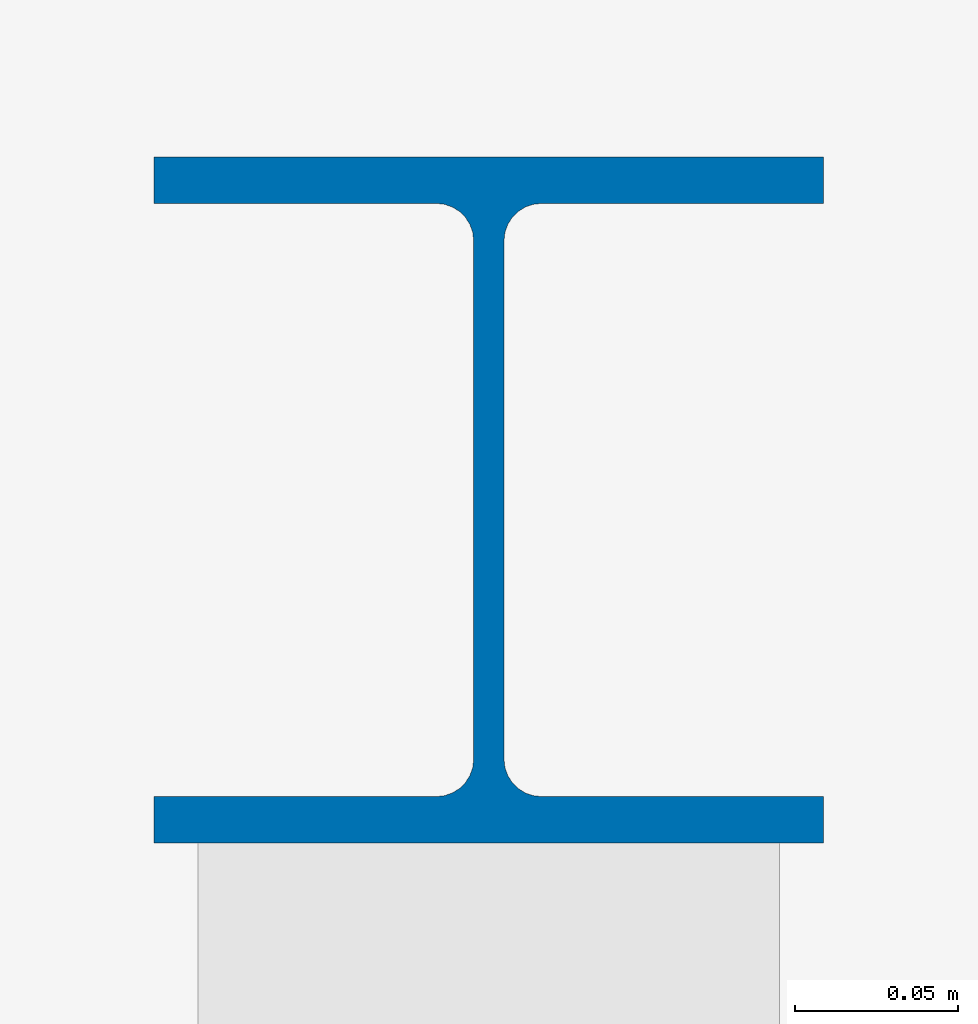
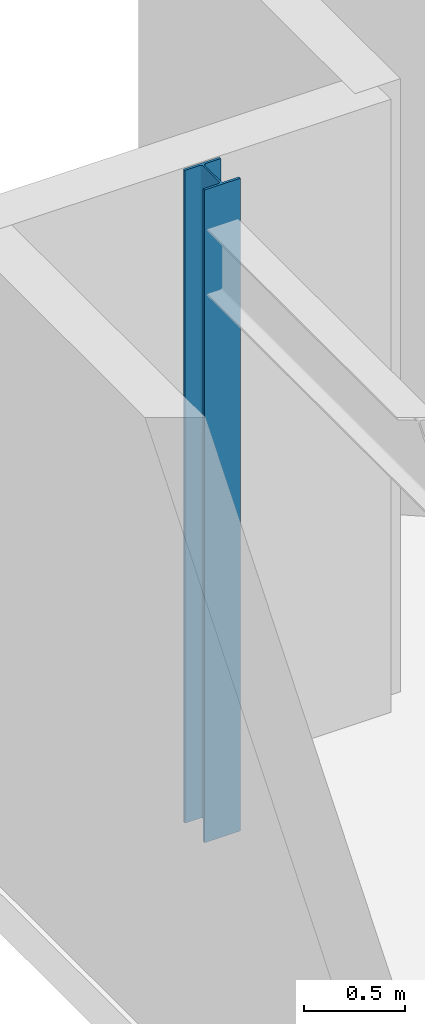
# One storey, part 4 of 16: 1 column.
"""IFC4 building model written with IfcOpenShell, lengths in metres."""

from ifc_helpers import new_model, si_unit, direction, frame, origin, origin_2d, place, context, subcontext, project, spatial, i_section, extrude, material, material_profile, profile_set, type_object, element, save


model = new_model("IFC4")

# Units and contexts
model_context = context("Model", 3, precision=1e-05, world=origin(), true_north=direction((0.0, 1.0)))
body_context = subcontext(model_context, "Body", "Model", "MODEL_VIEW")
ifc_project = project(units=[si_unit("LENGTHUNIT", "METRE"), si_unit("AREAUNIT", "SQUARE_METRE"), si_unit("VOLUMEUNIT", "CUBIC_METRE"), si_unit("PLANEANGLEUNIT", "RADIAN"), si_unit("MASSUNIT", "GRAM", prefix="KILO")], contexts=[model_context])

# Site, building, storey
site_placement = place(None, origin())
site = spatial("IfcSite", under=ifc_project, at=site_placement, CompositionType="ELEMENT")
building_placement = place(site_placement, origin())
building = spatial("IfcBuilding", under=site, at=building_placement, Name="Varnakote Quay Hospital", CompositionType="ELEMENT")
storey_placement = place(building_placement, frame((0.0, 0.0, 292.10009765625)))
storey = spatial("IfcBuildingStorey", under=building, at=storey_placement, Name="L72", CompositionType="ELEMENT", Elevation=292.10009765625)

# Column
ifc_material = material(Name="Structural steel AS/NZS 3679.1 Grade 350 L0 (fy 340 MPa)", Category="steel")
ifc_material_profile = material_profile(ifc_material, i_section(OverallWidth=0.205078125, OverallDepth=0.2099609375, WebThickness=0.00927734375, FlangeThickness=0.01416015625, FilletRadius=0.011474609375, at=origin_2d()), Name="200UC59.5")
ifc_profile_set = profile_set([ifc_material_profile], Name="Structural steel AS/NZS 3679.1 Grade 350 L0 (fy 340 MPa)")
column_type = type_object("IfcColumnType", Name="COL-STL-200UC59-5", PredefinedType="COLUMN", material=ifc_profile_set)
column_placement = place(storey_placement, frame((1.199951171875, 37.199951171875, 0.0), z_axis=(0.0, 0.0, 1.0), x_axis=(1.0, 0.0, 0.0)))
element("IfcColumn", 1, at=column_placement, inside=storey, type_object=column_type, Name="L72 Structural Column C-1-37", PredefinedType="COLUMN", context=body_context, shape_type="SweptSolid", body=[
    extrude(i_section(OverallWidth=0.205078125, OverallDepth=0.2099609375, WebThickness=0.00927734375, FlangeThickness=0.01416015625, FilletRadius=0.011474609375, at=origin_2d()), origin(), (0.0, 0.0, 1.0), 3.949951171875),
])

save(model, "model.ifc")
